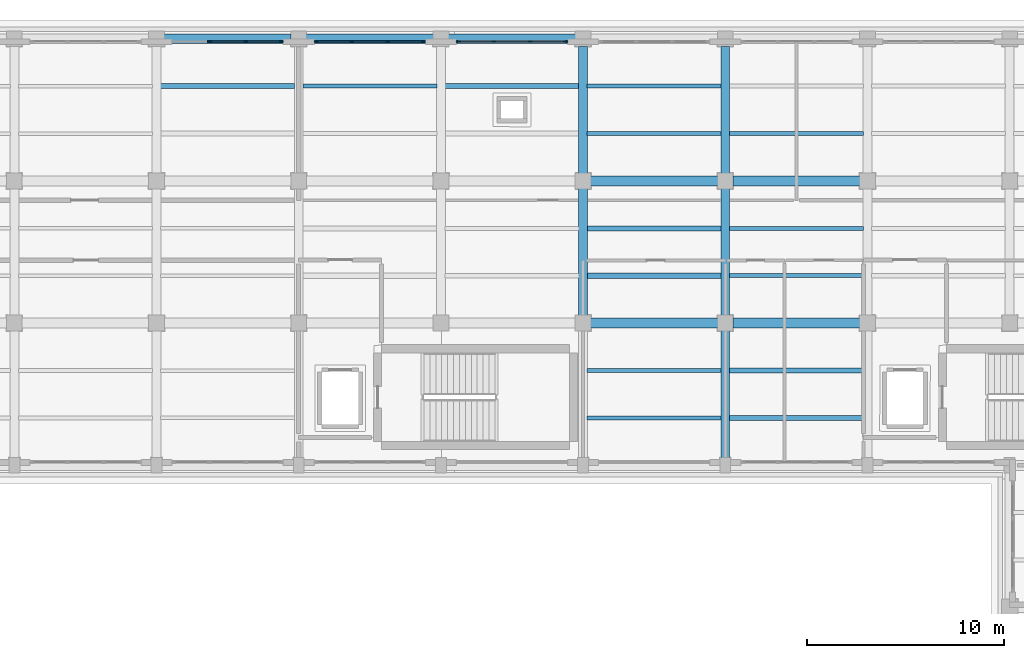
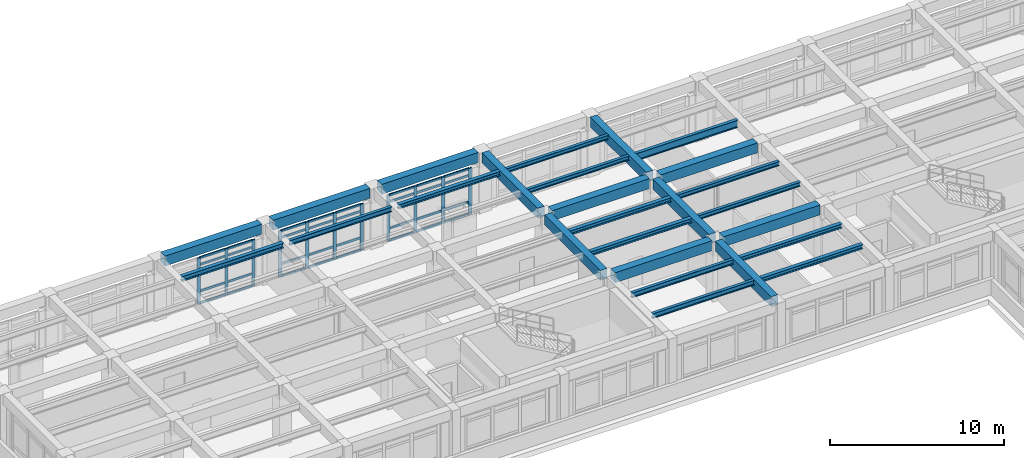
# One storey, part 55 of 98: 43 members, 26 beams, 3 elements without a shape of their own.
"""IFC4 building model written with IfcOpenShell, lengths in metres."""

from ifc_helpers import new_model, si_unit, direction, frame, origin, origin_2d, place, context, subcontext, project, spatial, rectangle, i_section, extrude, material, layer, layer_set, material_profile, profile_set, type_object, element, aggregate, save


model = new_model("IFC4")

# Units and contexts
model_context = context("Model", 3, precision=1e-05, world=origin(), true_north=direction((0.0, 1.0)))
body_context = subcontext(model_context, "Body", "Model", "MODEL_VIEW")
ifc_project = project(units=[si_unit("LENGTHUNIT", "METRE"), si_unit("AREAUNIT", "SQUARE_METRE"), si_unit("VOLUMEUNIT", "CUBIC_METRE"), si_unit("PLANEANGLEUNIT", "RADIAN"), si_unit("MASSUNIT", "GRAM", prefix="KILO")], contexts=[model_context])

# Site, building, storey
site_placement = place(None, origin())
site = spatial("IfcSite", under=ifc_project, at=site_placement, CompositionType="ELEMENT")
building_placement = place(site_placement, origin())
building = spatial("IfcBuilding", under=site, at=building_placement, Name="Solenvale Faculty of Natural Sciences", CompositionType="ELEMENT")
storey_placement = place(building_placement, frame((0.0, 0.0, 9.0)))
storey = spatial("IfcBuildingStorey", under=building, at=storey_placement, Name="L02", CompositionType="ELEMENT", Elevation=9.0)

# Beams
ifc_material_1 = material(Name="Concrete 40 MPa", Category="concrete")
ifc_material_profile_1 = material_profile(ifc_material_1, rectangle(XDim=0.449951171875, YDim=0.699951171875, at=origin_2d()), Name="RC-BM-450x700")
ifc_profile_set_1 = profile_set([ifc_material_profile_1], Name="Concrete 40 MPa")
beam_type_1 = type_object("IfcBeamType", Name="BM-RC-450x700", PredefinedType="BEAM", material=ifc_profile_set_1)
for number, where, z_axis, x_axis, name in (
    (1, (115.199951171875, 101.179931640625, 3.8701171875), (0.0, 1.0, 0.0), (-1.0, 0.0, 0.0), "L02 Y-Girder X115.2 (100.8..108.0)"),
    (2, (115.199951171875, 108.3798828125, 3.8701171875), (0.0, 1.0, 0.0), (-1.0, 0.0, 0.0), "L02 Y-Girder X115.2 (108.0..115.2)"),
):
    element("IfcBeam", number, at=place(storey_placement, frame(where, z_axis=z_axis, x_axis=x_axis)), inside=storey, type_object=beam_type_1, Name=name, PredefinedType="BEAM", context=body_context, shape_type="SweptSolid", body=[
        extrude(rectangle(XDim=0.449951171875, YDim=0.699951171875, at=origin_2d()), origin(), (0.0, 0.0, 1.0), 6.440185546875),
    ])
beam_1_placement = place(storey_placement, frame((122.39990234375, 93.97998046875, 3.8701171875), z_axis=(0.0, 1.0, 0.0), x_axis=(-1.0, 0.0, 0.0)))
element("IfcBeam", 3, at=beam_1_placement, inside=storey, type_object=beam_type_1, Name="L02 Y-Girder X122.4 (93.6..100.8)", PredefinedType="BEAM", context=body_context, shape_type="SweptSolid", body=[
    extrude(rectangle(XDim=0.449951171875, YDim=0.699951171875, at=origin_2d()), origin(), (0.0, 0.0, 1.0), 6.43994140625),
])
for number, where, z_axis, x_axis, name in (
    (4, (122.39990234375, 101.179931640625, 3.8701171875), (0.0, 1.0, 0.0), (-1.0, 0.0, 0.0), "L02 Y-Girder X122.4 (100.8..108.0)"),
    (5, (122.39990234375, 108.3798828125, 3.8701171875), (0.0, 1.0, 0.0), (-1.0, 0.0, 0.0), "L02 Y-Girder X122.4 (108.0..115.2)"),
):
    element("IfcBeam", number, at=place(storey_placement, frame(where, z_axis=z_axis, x_axis=x_axis)), inside=storey, type_object=beam_type_1, Name=name, PredefinedType="BEAM", context=body_context, shape_type="SweptSolid", body=[
        extrude(rectangle(XDim=0.449951171875, YDim=0.699951171875, at=origin_2d()), origin(), (0.0, 0.0, 1.0), 6.440185546875),
    ])
ifc_material_profile_2 = material_profile(ifc_material_1, rectangle(XDim=0.5, YDim=0.699951171875, at=origin_2d()), Name="RC-BM-500x700")
ifc_profile_set_2 = profile_set([ifc_material_profile_2], Name="Concrete 40 MPa")
beam_type_2 = type_object("IfcBeamType", Name="BM-RC-500x700", PredefinedType="BEAM", material=ifc_profile_set_2)
for number, where, z_axis, x_axis, name in (
    (6, (115.580078125, 100.800048828125, 3.8701171875), (1.0, 0.0, 0.0), (0.0, 1.0, 0.0), "L02 X-Girder Y100.8 (115.2..122.4)"),
    (7, (122.780029296875, 100.800048828125, 3.8701171875), (1.0, 0.0, 0.0), (0.0, 1.0, 0.0), "L02 X-Girder Y100.8 (122.4..129.6)"),
    (8, (115.580078125, 108.0, 3.8701171875), (1.0, 0.0, 0.0), (0.0, 1.0, 0.0), "L02 X-Girder Y108.0 (115.2..122.4)"),
    (9, (122.780029296875, 108.0, 3.8701171875), (1.0, 0.0, 0.0), (0.0, 1.0, 0.0), "L02 X-Girder Y108.0 (122.4..129.6)"),
):
    element("IfcBeam", number, at=place(storey_placement, frame(where, z_axis=z_axis, x_axis=x_axis)), inside=storey, type_object=beam_type_2, Name=name, PredefinedType="BEAM", context=body_context, shape_type="SweptSolid", body=[
        extrude(rectangle(XDim=0.5, YDim=0.699951171875, at=origin_2d()), origin(), (0.0, 0.0, 1.0), 6.43994140625),
    ])
ifc_material_2 = material(Name="Precast concrete 40 MPa", Category="concrete")
ifc_material_profile_3 = material_profile(ifc_material_2, rectangle(XDim=0.5, YDim=0.699951171875, at=origin_2d()), Name="RC-BM-500x700")
ifc_profile_set_3 = profile_set([ifc_material_profile_3], Name="Precast concrete 40 MPa")
beam_type_3 = type_object("IfcBeamType", Name="BM-SPN-PRC-700", PredefinedType="SPANDREL", material=ifc_profile_set_3)
beam_2_placement = place(storey_placement, frame((93.97998046875, 115.199951171875, 3.8701171875), z_axis=(1.0, 0.0, 0.0), x_axis=(0.0, 1.0, 0.0)))
element("IfcBeam", 10, at=beam_2_placement, inside=storey, type_object=beam_type_3, Name="L02 X-Girder Y115.2 (93.6..100.8)", PredefinedType="SPANDREL", context=body_context, shape_type="SweptSolid", body=[
    extrude(rectangle(XDim=0.5, YDim=0.699951171875, at=origin_2d()), origin(), (0.0, 0.0, 1.0), 6.43994140625),
])
for number, where, z_axis, x_axis, name in (
    (11, (101.179931640625, 115.199951171875, 3.8701171875), (1.0, 0.0, 0.0), (0.0, 1.0, 0.0), "L02 X-Girder Y115.2 (100.8..108.0)"),
    (12, (108.3798828125, 115.199951171875, 3.8701171875), (1.0, 0.0, 0.0), (0.0, 1.0, 0.0), "L02 X-Girder Y115.2 (108.0..115.2)"),
):
    element("IfcBeam", number, at=place(storey_placement, frame(where, z_axis=z_axis, x_axis=x_axis)), inside=storey, type_object=beam_type_3, Name=name, PredefinedType="SPANDREL", context=body_context, shape_type="SweptSolid", body=[
        extrude(rectangle(XDim=0.5, YDim=0.699951171875, at=origin_2d()), origin(), (0.0, 0.0, 1.0), 6.440185546875),
    ])
ifc_material_3 = material(Name="Steel S355", Category="steel")
ifc_material_profile_4 = material_profile(ifc_material_3, i_section(OverallWidth=0.202880859375, OverallDepth=0.302978515625, WebThickness=0.007568359375, FlangeThickness=0.01318359375, FilletRadius=0.014892578125, at=origin_2d()), Name="W310x60")
ifc_profile_set_4 = profile_set([ifc_material_profile_4], Name="Steel S355")
beam_type_4 = type_object("IfcBeamType", Name="BM-STL-W310x60", PredefinedType="JOIST", material=ifc_profile_set_4)
for number, where, z_axis, x_axis, name in (
    (13, (115.405029296875, 110.39990234375, 4.068603515625), (1.0, 0.0, 0.0), (0.0, 1.0, 0.0), "L02 Composite Floor Joist (17,16).1"),
    (14, (115.405029296875, 112.800048828125, 4.068603515625), (1.0, 0.0, 0.0), (0.0, 1.0, 0.0), "L02 Composite Floor Joist (17,16).2"),
    (15, (122.60498046875, 103.199951171875, 4.068603515625), (1.0, 0.0, 0.0), (0.0, 1.0, 0.0), "L02 Composite Floor Joist (18,15).1"),
    (16, (122.60498046875, 105.60009765625, 4.068603515625), (1.0, 0.0, 0.0), (0.0, 1.0, 0.0), "L02 Composite Floor Joist (18,15).2"),
):
    element("IfcBeam", number, at=place(storey_placement, frame(where, z_axis=z_axis, x_axis=x_axis)), inside=storey, type_object=beam_type_4, Name=name, PredefinedType="JOIST", context=body_context, shape_type="SweptSolid", body=[
        extrude(i_section(OverallWidth=0.202880859375, OverallDepth=0.302978515625, WebThickness=0.007568359375, FlangeThickness=0.01318359375, FilletRadius=0.014892578125, at=origin_2d()), origin(), (0.0, 0.0, 1.0), 6.7900390625),
    ])
ifc_material_profile_5 = material_profile(ifc_material_3, i_section(OverallWidth=0.25390625, OverallDepth=0.305908203125, WebThickness=0.0087890625, FlangeThickness=0.0146484375, FilletRadius=0.014892578125, at=origin_2d()), Name="W310x79")
ifc_profile_set_5 = profile_set([ifc_material_profile_5], Name="Steel S355")
beam_type_5 = type_object("IfcBeamType", Name="BM-STL-W310x79", PredefinedType="JOIST", material=ifc_profile_set_5)
for number, where, z_axis, x_axis, name in (
    (17, (108.205078125, 112.800048828125, 4.06689453125), (1.0, 0.0, 0.0), (0.0, 1.0, 0.0), "L02 Composite Floor Joist (16,16).2"),
    (18, (115.405029296875, 103.199951171875, 4.06689453125), (1.0, 0.0, 0.0), (0.0, 1.0, 0.0), "L02 Composite Floor Joist (17,15).1"),
    (19, (115.405029296875, 105.60009765625, 4.06689453125), (1.0, 0.0, 0.0), (0.0, 1.0, 0.0), "L02 Composite Floor Joist (17,15).2"),
    (20, (122.60498046875, 96.0, 4.06689453125), (1.0, 0.0, 0.0), (0.0, 1.0, 0.0), "L02 Composite Floor Joist (18,14).1"),
    (21, (122.60498046875, 98.39990234375, 4.06689453125), (1.0, 0.0, 0.0), (0.0, 1.0, 0.0), "L02 Composite Floor Joist (18,14).2"),
):
    element("IfcBeam", number, at=place(storey_placement, frame(where, z_axis=z_axis, x_axis=x_axis)), inside=storey, type_object=beam_type_5, Name=name, PredefinedType="JOIST", context=body_context, shape_type="SweptSolid", body=[
        extrude(i_section(OverallWidth=0.25390625, OverallDepth=0.305908203125, WebThickness=0.0087890625, FlangeThickness=0.0146484375, FilletRadius=0.014892578125, at=origin_2d()), origin(), (0.0, 0.0, 1.0), 6.7900390625),
    ])
ifc_material_profile_6 = material_profile(ifc_material_3, i_section(OverallWidth=0.2548828125, OverallDepth=0.35693359375, WebThickness=0.010498046875, FlangeThickness=0.018310546875, FilletRadius=0.014892578125, at=origin_2d()), Name="W360x101")
ifc_profile_set_6 = profile_set([ifc_material_profile_6], Name="Steel S355")
beam_type_6 = type_object("IfcBeamType", Name="BM-STL-W360x101", PredefinedType="JOIST", material=ifc_profile_set_6)
beam_3_placement = place(storey_placement, frame((93.804931640625, 112.800048828125, 4.04150390625), z_axis=(1.0, 0.0, 0.0), x_axis=(0.0, 1.0, 0.0)))
element("IfcBeam", 22, at=beam_3_placement, inside=storey, type_object=beam_type_6, Name="L02 Composite Floor Joist (14,16).2", PredefinedType="JOIST", context=body_context, shape_type="SweptSolid", body=[
    extrude(i_section(OverallWidth=0.2548828125, OverallDepth=0.35693359375, WebThickness=0.010498046875, FlangeThickness=0.018310546875, FilletRadius=0.014892578125, at=origin_2d()), origin(), (0.0, 0.0, 1.0), 6.7900390625),
])
ifc_material_profile_7 = material_profile(ifc_material_3, i_section(OverallWidth=0.2041015625, OverallDepth=0.35009765625, WebThickness=0.008544921875, FlangeThickness=0.01513671875, FilletRadius=0.014892578125, at=origin_2d()), Name="W360x72")
ifc_profile_set_7 = profile_set([ifc_material_profile_7], Name="Steel S355")
beam_type_7 = type_object("IfcBeamType", Name="BM-STL-W360x72", PredefinedType="JOIST", material=ifc_profile_set_7)
for number, where, z_axis, x_axis, name in (
    (23, (101.0048828125, 112.800048828125, 4.044921875), (1.0, 0.0, 0.0), (0.0, 1.0, 0.0), "L02 Composite Floor Joist (15,16).2"),
    (24, (115.405029296875, 96.0, 4.044921875), (1.0, 0.0, 0.0), (0.0, 1.0, 0.0), "L02 Composite Floor Joist (17,14).1"),
    (25, (115.405029296875, 98.39990234375, 4.044921875), (1.0, 0.0, 0.0), (0.0, 1.0, 0.0), "L02 Composite Floor Joist (17,14).2"),
):
    element("IfcBeam", number, at=place(storey_placement, frame(where, z_axis=z_axis, x_axis=x_axis)), inside=storey, type_object=beam_type_7, Name=name, PredefinedType="JOIST", context=body_context, shape_type="SweptSolid", body=[
        extrude(i_section(OverallWidth=0.2041015625, OverallDepth=0.35009765625, WebThickness=0.008544921875, FlangeThickness=0.01513671875, FilletRadius=0.014892578125, at=origin_2d()), origin(), (0.0, 0.0, 1.0), 6.7900390625),
    ])
ifc_material_profile_8 = material_profile(ifc_material_3, i_section(OverallWidth=0.208984375, OverallDepth=0.532958984375, WebThickness=0.01025390625, FlangeThickness=0.015625, FilletRadius=0.01904296875, at=origin_2d()), Name="W530x92")
ifc_profile_set_8 = profile_set([ifc_material_profile_8], Name="Steel S355")
beam_type_8 = type_object("IfcBeamType", Name="BM-STL-W530x92", PredefinedType="JOIST", material=ifc_profile_set_8)
beam_4_placement = place(storey_placement, frame((122.60498046875, 110.39990234375, 3.95361328125), z_axis=(1.0, 0.0, 0.0), x_axis=(0.0, 1.0, 0.0)))
element("IfcBeam", 26, at=beam_4_placement, inside=storey, type_object=beam_type_8, Name="L02 Composite Floor Joist (18,16).1", PredefinedType="JOIST", context=body_context, shape_type="SweptSolid", body=[
    extrude(i_section(OverallWidth=0.208984375, OverallDepth=0.532958984375, WebThickness=0.01025390625, FlangeThickness=0.015625, FilletRadius=0.01904296875, at=origin_2d()), origin(), (0.0, 0.0, 1.0), 6.7900390625),
])

# Curtain wall, members
ifc_material_4 = material(Name="Anodised bronze aluminium", Category="aluminium")
ifc_layer = layer(ifc_material_4, 0.179931640625)
ifc_layer_set = layer_set([ifc_layer], Name="Anodised bronze aluminium")
curtain_wall_type = type_object("IfcCurtainWallType", Name="CW-TWR-MOD", PredefinedType="USERDEFINED", material=ifc_layer_set)
curtain_wall_1_placement = place(storey_placement, origin())
curtain_wall_1 = element("IfcCurtainWall", 27, at=curtain_wall_1_placement, inside=storey, type_object=curtain_wall_type, Name="L02 Curtain Wall CW-L02-P2-E4-B6", ObjectType="UNITISED CURTAIN WALL", PredefinedType="USERDEFINED")
ifc_material_profile_9 = material_profile(ifc_material_4, rectangle(XDim=0.074951171875, YDim=0.2099609375, at=origin_2d()), Name="ALU-MUL-75x210")
ifc_profile_set_9 = profile_set([ifc_material_profile_9], Name="Anodised bronze aluminium")
member_type_1 = type_object("IfcMemberType", Name="CWM-ALU-75x210", PredefinedType="MULLION", material=ifc_profile_set_9)
member_1_placement = place(storey_placement, frame((114.3125, 115.0576171875, 0.0), z_axis=(0.0, 0.0, 1.0), x_axis=(0.0, -1.0, 0.0)))
member_1 = element("IfcMember", 28, at=member_1_placement, type_object=member_type_1, Name="CW-04 mullion 1", PredefinedType="MULLION", context=body_context, shape_type="SweptSolid", body=[
    extrude(rectangle(XDim=0.074951171875, YDim=0.2099609375, at=origin_2d()), origin(), (0.0, 0.0, 1.0), 3.260009765625),
])
member_2_placement = place(storey_placement, frame((112.5166015625, 115.0576171875, 0.0), z_axis=(0.0, 0.0, 1.0), x_axis=(0.0, -1.0, 0.0)))
member_2 = element("IfcMember", 29, at=member_2_placement, type_object=member_type_1, Name="CW-04 mullion 2", PredefinedType="MULLION", context=body_context, shape_type="SweptSolid", body=[
    extrude(rectangle(XDim=0.074951171875, YDim=0.2099609375, at=origin_2d()), origin(), (0.0, 0.0, 1.0), 3.260009765625),
])
member_3_placement = place(storey_placement, frame((110.683349609375, 115.0576171875, 0.0), z_axis=(0.0, 0.0, 1.0), x_axis=(0.0, -1.0, 0.0)))
member_3 = element("IfcMember", 30, at=member_3_placement, type_object=member_type_1, Name="CW-04 mullion 3", PredefinedType="MULLION", context=body_context, shape_type="SweptSolid", body=[
    extrude(rectangle(XDim=0.074951171875, YDim=0.2099609375, at=origin_2d()), origin(), (0.0, 0.0, 1.0), 3.260009765625),
])
member_4_placement = place(storey_placement, frame((108.887451171875, 115.0576171875, 0.0), z_axis=(0.0, 0.0, 1.0), x_axis=(0.0, -1.0, 0.0)))
member_4 = element("IfcMember", 31, at=member_4_placement, type_object=member_type_1, Name="CW-04 mullion 4", PredefinedType="MULLION", context=body_context, shape_type="SweptSolid", body=[
    extrude(rectangle(XDim=0.074951171875, YDim=0.2099609375, at=origin_2d()), origin(), (0.0, 0.0, 1.0), 3.260009765625),
])

curtain_wall_2_placement = place(storey_placement, origin())
curtain_wall_2 = element("IfcCurtainWall", 32, at=curtain_wall_2_placement, inside=storey, type_object=curtain_wall_type, Name="L02 Curtain Wall CW-L02-P2-E4-B7", ObjectType="UNITISED CURTAIN WALL", PredefinedType="USERDEFINED")
member_5_placement = place(storey_placement, frame((107.112548828125, 115.0576171875, 0.0), z_axis=(0.0, 0.0, 1.0), x_axis=(0.0, -1.0, 0.0)))
member_5 = element("IfcMember", 33, at=member_5_placement, type_object=member_type_1, Name="CW-04 mullion 1", PredefinedType="MULLION", context=body_context, shape_type="SweptSolid", body=[
    extrude(rectangle(XDim=0.074951171875, YDim=0.2099609375, at=origin_2d()), origin(), (0.0, 0.0, 1.0), 3.260009765625),
])
member_6_placement = place(storey_placement, frame((105.316650390625, 115.0576171875, 0.0), z_axis=(0.0, 0.0, 1.0), x_axis=(0.0, -1.0, 0.0)))
member_6 = element("IfcMember", 34, at=member_6_placement, type_object=member_type_1, Name="CW-04 mullion 2", PredefinedType="MULLION", context=body_context, shape_type="SweptSolid", body=[
    extrude(rectangle(XDim=0.074951171875, YDim=0.2099609375, at=origin_2d()), origin(), (0.0, 0.0, 1.0), 3.260009765625),
])
member_7_placement = place(storey_placement, frame((103.4833984375, 115.0576171875, 0.0), z_axis=(0.0, 0.0, 1.0), x_axis=(0.0, -1.0, 0.0)))
member_7 = element("IfcMember", 35, at=member_7_placement, type_object=member_type_1, Name="CW-04 mullion 3", PredefinedType="MULLION", context=body_context, shape_type="SweptSolid", body=[
    extrude(rectangle(XDim=0.074951171875, YDim=0.2099609375, at=origin_2d()), origin(), (0.0, 0.0, 1.0), 3.260009765625),
])
member_8_placement = place(storey_placement, frame((101.6875, 115.0576171875, 0.0), z_axis=(0.0, 0.0, 1.0), x_axis=(0.0, -1.0, 0.0)))
member_8 = element("IfcMember", 36, at=member_8_placement, type_object=member_type_1, Name="CW-04 mullion 4", PredefinedType="MULLION", context=body_context, shape_type="SweptSolid", body=[
    extrude(rectangle(XDim=0.074951171875, YDim=0.2099609375, at=origin_2d()), origin(), (0.0, 0.0, 1.0), 3.260009765625),
])

curtain_wall_3_placement = place(storey_placement, origin())
curtain_wall_3 = element("IfcCurtainWall", 37, at=curtain_wall_3_placement, inside=storey, type_object=curtain_wall_type, Name="L02 Curtain Wall CW-L02-P2-E4-B8", ObjectType="UNITISED CURTAIN WALL", PredefinedType="USERDEFINED")
member_9_placement = place(storey_placement, frame((99.91259765625, 115.0576171875, 0.0), z_axis=(0.0, 0.0, 1.0), x_axis=(0.0, -1.0, 0.0)))
member_9 = element("IfcMember", 38, at=member_9_placement, type_object=member_type_1, Name="CW-04 mullion 1", PredefinedType="MULLION", context=body_context, shape_type="SweptSolid", body=[
    extrude(rectangle(XDim=0.074951171875, YDim=0.2099609375, at=origin_2d()), origin(), (0.0, 0.0, 1.0), 3.260009765625),
])
member_10_placement = place(storey_placement, frame((98.11669921875, 115.0576171875, 0.0), z_axis=(0.0, 0.0, 1.0), x_axis=(0.0, -1.0, 0.0)))
member_10 = element("IfcMember", 39, at=member_10_placement, type_object=member_type_1, Name="CW-04 mullion 2", PredefinedType="MULLION", context=body_context, shape_type="SweptSolid", body=[
    extrude(rectangle(XDim=0.074951171875, YDim=0.2099609375, at=origin_2d()), origin(), (0.0, 0.0, 1.0), 3.260009765625),
])
member_11_placement = place(storey_placement, frame((96.283447265625, 115.0576171875, 0.0), z_axis=(0.0, 0.0, 1.0), x_axis=(0.0, -1.0, 0.0)))
member_11 = element("IfcMember", 40, at=member_11_placement, type_object=member_type_1, Name="CW-04 mullion 3", PredefinedType="MULLION", context=body_context, shape_type="SweptSolid", body=[
    extrude(rectangle(XDim=0.074951171875, YDim=0.2099609375, at=origin_2d()), origin(), (0.0, 0.0, 1.0), 3.260009765625),
])

# Member
ifc_material_profile_10 = material_profile(ifc_material_4, rectangle(XDim=0.074951171875, YDim=0.155029296875, at=origin_2d()), Name="ALU-TRN-75x155")
ifc_profile_set_10 = profile_set([ifc_material_profile_10], Name="Anodised bronze aluminium")
member_type_2 = type_object("IfcMemberType", Name="CWT-ALU-75x155", PredefinedType="USERDEFINED", material=ifc_profile_set_10)
member_12_placement = place(storey_placement, frame((114.27490234375, 115.0576171875, 0.03759765625), z_axis=(-1.0, 0.0, 0.0), x_axis=(0.0, -1.0, 0.0)))
member_12 = element("IfcMember", 41, at=member_12_placement, type_object=member_type_2, Name="CW-04 transom 1.1", ObjectType="TRANSOM", PredefinedType="USERDEFINED", context=body_context, shape_type="SweptSolid", body=[
    extrude(rectangle(XDim=0.074951171875, YDim=0.155029296875, at=origin_2d()), origin(), (0.0, 0.0, 1.0), 1.720703125),
])

member_13_placement = place(storey_placement, frame((114.27490234375, 115.0576171875, 0.89990234375), z_axis=(-1.0, 0.0, 0.0), x_axis=(0.0, -1.0, 0.0)))
member_13 = element("IfcMember", 42, at=member_13_placement, type_object=member_type_2, Name="CW-04 transom 1.2", ObjectType="TRANSOM", PredefinedType="USERDEFINED", context=body_context, shape_type="SweptSolid", body=[
    extrude(rectangle(XDim=0.074951171875, YDim=0.155029296875, at=origin_2d()), origin(), (0.0, 0.0, 1.0), 1.720703125),
])

member_14_placement = place(storey_placement, frame((114.27490234375, 115.0576171875, 2.760009765625), z_axis=(-1.0, 0.0, 0.0), x_axis=(0.0, -1.0, 0.0)))
member_14 = element("IfcMember", 43, at=member_14_placement, type_object=member_type_2, Name="CW-04 transom 1.3", ObjectType="TRANSOM", PredefinedType="USERDEFINED", context=body_context, shape_type="SweptSolid", body=[
    extrude(rectangle(XDim=0.074951171875, YDim=0.155029296875, at=origin_2d()), origin(), (0.0, 0.0, 1.0), 1.720703125),
])

member_15_placement = place(storey_placement, frame((114.27490234375, 115.0576171875, 3.222412109375), z_axis=(-1.0, 0.0, 0.0), x_axis=(0.0, -1.0, 0.0)))
member_15 = element("IfcMember", 44, at=member_15_placement, type_object=member_type_2, Name="CW-04 transom 1.4", ObjectType="TRANSOM", PredefinedType="USERDEFINED", context=body_context, shape_type="SweptSolid", body=[
    extrude(rectangle(XDim=0.074951171875, YDim=0.155029296875, at=origin_2d()), origin(), (0.0, 0.0, 1.0), 1.720703125),
])

member_16_placement = place(storey_placement, frame((112.479248046875, 115.0576171875, 0.03759765625), z_axis=(-1.0, 0.0, 0.0), x_axis=(0.0, -1.0, 0.0)))
member_16 = element("IfcMember", 45, at=member_16_placement, type_object=member_type_2, Name="CW-04 transom 2.1", ObjectType="TRANSOM", PredefinedType="USERDEFINED", context=body_context, shape_type="SweptSolid", body=[
    extrude(rectangle(XDim=0.074951171875, YDim=0.155029296875, at=origin_2d()), origin(), (0.0, 0.0, 1.0), 1.75830078125),
])

member_17_placement = place(storey_placement, frame((112.479248046875, 115.0576171875, 0.89990234375), z_axis=(-1.0, 0.0, 0.0), x_axis=(0.0, -1.0, 0.0)))
member_17 = element("IfcMember", 46, at=member_17_placement, type_object=member_type_2, Name="CW-04 transom 2.2", ObjectType="TRANSOM", PredefinedType="USERDEFINED", context=body_context, shape_type="SweptSolid", body=[
    extrude(rectangle(XDim=0.074951171875, YDim=0.155029296875, at=origin_2d()), origin(), (0.0, 0.0, 1.0), 1.75830078125),
])

member_18_placement = place(storey_placement, frame((112.479248046875, 115.0576171875, 2.760009765625), z_axis=(-1.0, 0.0, 0.0), x_axis=(0.0, -1.0, 0.0)))
member_18 = element("IfcMember", 47, at=member_18_placement, type_object=member_type_2, Name="CW-04 transom 2.3", ObjectType="TRANSOM", PredefinedType="USERDEFINED", context=body_context, shape_type="SweptSolid", body=[
    extrude(rectangle(XDim=0.074951171875, YDim=0.155029296875, at=origin_2d()), origin(), (0.0, 0.0, 1.0), 1.75830078125),
])

member_19_placement = place(storey_placement, frame((112.479248046875, 115.0576171875, 3.222412109375), z_axis=(-1.0, 0.0, 0.0), x_axis=(0.0, -1.0, 0.0)))
member_19 = element("IfcMember", 48, at=member_19_placement, type_object=member_type_2, Name="CW-04 transom 2.4", ObjectType="TRANSOM", PredefinedType="USERDEFINED", context=body_context, shape_type="SweptSolid", body=[
    extrude(rectangle(XDim=0.074951171875, YDim=0.155029296875, at=origin_2d()), origin(), (0.0, 0.0, 1.0), 1.75830078125),
])

member_20_placement = place(storey_placement, frame((110.645751953125, 115.0576171875, 0.03759765625), z_axis=(-1.0, 0.0, 0.0), x_axis=(0.0, -1.0, 0.0)))
member_20 = element("IfcMember", 49, at=member_20_placement, type_object=member_type_2, Name="CW-04 transom 3.1", ObjectType="TRANSOM", PredefinedType="USERDEFINED", context=body_context, shape_type="SweptSolid", body=[
    extrude(rectangle(XDim=0.074951171875, YDim=0.155029296875, at=origin_2d()), origin(), (0.0, 0.0, 1.0), 1.720703125),
])

member_21_placement = place(storey_placement, frame((110.645751953125, 115.0576171875, 0.89990234375), z_axis=(-1.0, 0.0, 0.0), x_axis=(0.0, -1.0, 0.0)))
member_21 = element("IfcMember", 50, at=member_21_placement, type_object=member_type_2, Name="CW-04 transom 3.2", ObjectType="TRANSOM", PredefinedType="USERDEFINED", context=body_context, shape_type="SweptSolid", body=[
    extrude(rectangle(XDim=0.074951171875, YDim=0.155029296875, at=origin_2d()), origin(), (0.0, 0.0, 1.0), 1.720703125),
])

member_22_placement = place(storey_placement, frame((110.645751953125, 115.0576171875, 2.760009765625), z_axis=(-1.0, 0.0, 0.0), x_axis=(0.0, -1.0, 0.0)))
member_22 = element("IfcMember", 51, at=member_22_placement, type_object=member_type_2, Name="CW-04 transom 3.3", ObjectType="TRANSOM", PredefinedType="USERDEFINED", context=body_context, shape_type="SweptSolid", body=[
    extrude(rectangle(XDim=0.074951171875, YDim=0.155029296875, at=origin_2d()), origin(), (0.0, 0.0, 1.0), 1.720703125),
])

member_23_placement = place(storey_placement, frame((110.645751953125, 115.0576171875, 3.222412109375), z_axis=(-1.0, 0.0, 0.0), x_axis=(0.0, -1.0, 0.0)))
member_23 = element("IfcMember", 52, at=member_23_placement, type_object=member_type_2, Name="CW-04 transom 3.4", ObjectType="TRANSOM", PredefinedType="USERDEFINED", context=body_context, shape_type="SweptSolid", body=[
    extrude(rectangle(XDim=0.074951171875, YDim=0.155029296875, at=origin_2d()), origin(), (0.0, 0.0, 1.0), 1.720703125),
])

aggregate(curtain_wall_1, [member_1, member_2, member_3, member_4, member_12, member_13, member_14, member_15, member_16, member_17, member_18, member_19, member_20, member_21, member_22, member_23])

member_24_placement = place(storey_placement, frame((107.074951171875, 115.0576171875, 0.03759765625), z_axis=(-1.0, 0.0, 0.0), x_axis=(0.0, -1.0, 0.0)))
member_24 = element("IfcMember", 53, at=member_24_placement, type_object=member_type_2, Name="CW-04 transom 1.1", ObjectType="TRANSOM", PredefinedType="USERDEFINED", context=body_context, shape_type="SweptSolid", body=[
    extrude(rectangle(XDim=0.074951171875, YDim=0.155029296875, at=origin_2d()), origin(), (0.0, 0.0, 1.0), 1.720703125),
])

member_25_placement = place(storey_placement, frame((107.074951171875, 115.0576171875, 0.89990234375), z_axis=(-1.0, 0.0, 0.0), x_axis=(0.0, -1.0, 0.0)))
member_25 = element("IfcMember", 54, at=member_25_placement, type_object=member_type_2, Name="CW-04 transom 1.2", ObjectType="TRANSOM", PredefinedType="USERDEFINED", context=body_context, shape_type="SweptSolid", body=[
    extrude(rectangle(XDim=0.074951171875, YDim=0.155029296875, at=origin_2d()), origin(), (0.0, 0.0, 1.0), 1.720703125),
])

member_26_placement = place(storey_placement, frame((107.074951171875, 115.0576171875, 2.760009765625), z_axis=(-1.0, 0.0, 0.0), x_axis=(0.0, -1.0, 0.0)))
member_26 = element("IfcMember", 55, at=member_26_placement, type_object=member_type_2, Name="CW-04 transom 1.3", ObjectType="TRANSOM", PredefinedType="USERDEFINED", context=body_context, shape_type="SweptSolid", body=[
    extrude(rectangle(XDim=0.074951171875, YDim=0.155029296875, at=origin_2d()), origin(), (0.0, 0.0, 1.0), 1.720703125),
])

member_27_placement = place(storey_placement, frame((107.074951171875, 115.0576171875, 3.222412109375), z_axis=(-1.0, 0.0, 0.0), x_axis=(0.0, -1.0, 0.0)))
member_27 = element("IfcMember", 56, at=member_27_placement, type_object=member_type_2, Name="CW-04 transom 1.4", ObjectType="TRANSOM", PredefinedType="USERDEFINED", context=body_context, shape_type="SweptSolid", body=[
    extrude(rectangle(XDim=0.074951171875, YDim=0.155029296875, at=origin_2d()), origin(), (0.0, 0.0, 1.0), 1.720703125),
])

member_28_placement = place(storey_placement, frame((105.279052734375, 115.0576171875, 0.03759765625), z_axis=(-1.0, 0.0, 0.0), x_axis=(0.0, -1.0, 0.0)))
member_28 = element("IfcMember", 57, at=member_28_placement, type_object=member_type_2, Name="CW-04 transom 2.1", ObjectType="TRANSOM", PredefinedType="USERDEFINED", context=body_context, shape_type="SweptSolid", body=[
    extrude(rectangle(XDim=0.074951171875, YDim=0.155029296875, at=origin_2d()), origin(), (0.0, 0.0, 1.0), 1.75830078125),
])

member_29_placement = place(storey_placement, frame((105.279052734375, 115.0576171875, 0.89990234375), z_axis=(-1.0, 0.0, 0.0), x_axis=(0.0, -1.0, 0.0)))
member_29 = element("IfcMember", 58, at=member_29_placement, type_object=member_type_2, Name="CW-04 transom 2.2", ObjectType="TRANSOM", PredefinedType="USERDEFINED", context=body_context, shape_type="SweptSolid", body=[
    extrude(rectangle(XDim=0.074951171875, YDim=0.155029296875, at=origin_2d()), origin(), (0.0, 0.0, 1.0), 1.75830078125),
])

member_30_placement = place(storey_placement, frame((105.279052734375, 115.0576171875, 2.760009765625), z_axis=(-1.0, 0.0, 0.0), x_axis=(0.0, -1.0, 0.0)))
member_30 = element("IfcMember", 59, at=member_30_placement, type_object=member_type_2, Name="CW-04 transom 2.3", ObjectType="TRANSOM", PredefinedType="USERDEFINED", context=body_context, shape_type="SweptSolid", body=[
    extrude(rectangle(XDim=0.074951171875, YDim=0.155029296875, at=origin_2d()), origin(), (0.0, 0.0, 1.0), 1.75830078125),
])

member_31_placement = place(storey_placement, frame((105.279052734375, 115.0576171875, 3.222412109375), z_axis=(-1.0, 0.0, 0.0), x_axis=(0.0, -1.0, 0.0)))
member_31 = element("IfcMember", 60, at=member_31_placement, type_object=member_type_2, Name="CW-04 transom 2.4", ObjectType="TRANSOM", PredefinedType="USERDEFINED", context=body_context, shape_type="SweptSolid", body=[
    extrude(rectangle(XDim=0.074951171875, YDim=0.155029296875, at=origin_2d()), origin(), (0.0, 0.0, 1.0), 1.75830078125),
])

member_32_placement = place(storey_placement, frame((103.44580078125, 115.0576171875, 0.03759765625), z_axis=(-1.0, 0.0, 0.0), x_axis=(0.0, -1.0, 0.0)))
member_32 = element("IfcMember", 61, at=member_32_placement, type_object=member_type_2, Name="CW-04 transom 3.1", ObjectType="TRANSOM", PredefinedType="USERDEFINED", context=body_context, shape_type="SweptSolid", body=[
    extrude(rectangle(XDim=0.074951171875, YDim=0.155029296875, at=origin_2d()), origin(), (0.0, 0.0, 1.0), 1.720703125),
])

member_33_placement = place(storey_placement, frame((103.44580078125, 115.0576171875, 0.89990234375), z_axis=(-1.0, 0.0, 0.0), x_axis=(0.0, -1.0, 0.0)))
member_33 = element("IfcMember", 62, at=member_33_placement, type_object=member_type_2, Name="CW-04 transom 3.2", ObjectType="TRANSOM", PredefinedType="USERDEFINED", context=body_context, shape_type="SweptSolid", body=[
    extrude(rectangle(XDim=0.074951171875, YDim=0.155029296875, at=origin_2d()), origin(), (0.0, 0.0, 1.0), 1.720703125),
])

member_34_placement = place(storey_placement, frame((103.44580078125, 115.0576171875, 2.760009765625), z_axis=(-1.0, 0.0, 0.0), x_axis=(0.0, -1.0, 0.0)))
member_34 = element("IfcMember", 63, at=member_34_placement, type_object=member_type_2, Name="CW-04 transom 3.3", ObjectType="TRANSOM", PredefinedType="USERDEFINED", context=body_context, shape_type="SweptSolid", body=[
    extrude(rectangle(XDim=0.074951171875, YDim=0.155029296875, at=origin_2d()), origin(), (0.0, 0.0, 1.0), 1.720703125),
])

member_35_placement = place(storey_placement, frame((103.44580078125, 115.0576171875, 3.222412109375), z_axis=(-1.0, 0.0, 0.0), x_axis=(0.0, -1.0, 0.0)))
member_35 = element("IfcMember", 64, at=member_35_placement, type_object=member_type_2, Name="CW-04 transom 3.4", ObjectType="TRANSOM", PredefinedType="USERDEFINED", context=body_context, shape_type="SweptSolid", body=[
    extrude(rectangle(XDim=0.074951171875, YDim=0.155029296875, at=origin_2d()), origin(), (0.0, 0.0, 1.0), 1.720703125),
])

aggregate(curtain_wall_2, [member_5, member_6, member_7, member_8, member_24, member_25, member_26, member_27, member_28, member_29, member_30, member_31, member_32, member_33, member_34, member_35])

member_36_placement = place(storey_placement, frame((99.875, 115.0576171875, 0.03759765625), z_axis=(-1.0, 0.0, 0.0), x_axis=(0.0, -1.0, 0.0)))
member_36 = element("IfcMember", 65, at=member_36_placement, type_object=member_type_2, Name="CW-04 transom 1.1", ObjectType="TRANSOM", PredefinedType="USERDEFINED", context=body_context, shape_type="SweptSolid", body=[
    extrude(rectangle(XDim=0.074951171875, YDim=0.155029296875, at=origin_2d()), origin(), (0.0, 0.0, 1.0), 1.720947265625),
])

member_37_placement = place(storey_placement, frame((99.875, 115.0576171875, 0.89990234375), z_axis=(-1.0, 0.0, 0.0), x_axis=(0.0, -1.0, 0.0)))
member_37 = element("IfcMember", 66, at=member_37_placement, type_object=member_type_2, Name="CW-04 transom 1.2", ObjectType="TRANSOM", PredefinedType="USERDEFINED", context=body_context, shape_type="SweptSolid", body=[
    extrude(rectangle(XDim=0.074951171875, YDim=0.155029296875, at=origin_2d()), origin(), (0.0, 0.0, 1.0), 1.720947265625),
])

member_38_placement = place(storey_placement, frame((99.875, 115.0576171875, 2.760009765625), z_axis=(-1.0, 0.0, 0.0), x_axis=(0.0, -1.0, 0.0)))
member_38 = element("IfcMember", 67, at=member_38_placement, type_object=member_type_2, Name="CW-04 transom 1.3", ObjectType="TRANSOM", PredefinedType="USERDEFINED", context=body_context, shape_type="SweptSolid", body=[
    extrude(rectangle(XDim=0.074951171875, YDim=0.155029296875, at=origin_2d()), origin(), (0.0, 0.0, 1.0), 1.720947265625),
])

member_39_placement = place(storey_placement, frame((99.875, 115.0576171875, 3.222412109375), z_axis=(-1.0, 0.0, 0.0), x_axis=(0.0, -1.0, 0.0)))
member_39 = element("IfcMember", 68, at=member_39_placement, type_object=member_type_2, Name="CW-04 transom 1.4", ObjectType="TRANSOM", PredefinedType="USERDEFINED", context=body_context, shape_type="SweptSolid", body=[
    extrude(rectangle(XDim=0.074951171875, YDim=0.155029296875, at=origin_2d()), origin(), (0.0, 0.0, 1.0), 1.720947265625),
])

member_40_placement = place(storey_placement, frame((98.0791015625, 115.0576171875, 0.03759765625), z_axis=(-1.0, 0.0, 0.0), x_axis=(0.0, -1.0, 0.0)))
member_40 = element("IfcMember", 69, at=member_40_placement, type_object=member_type_2, Name="CW-04 transom 2.1", ObjectType="TRANSOM", PredefinedType="USERDEFINED", context=body_context, shape_type="SweptSolid", body=[
    extrude(rectangle(XDim=0.074951171875, YDim=0.155029296875, at=origin_2d()), origin(), (0.0, 0.0, 1.0), 1.75830078125),
])

member_41_placement = place(storey_placement, frame((98.0791015625, 115.0576171875, 0.89990234375), z_axis=(-1.0, 0.0, 0.0), x_axis=(0.0, -1.0, 0.0)))
member_41 = element("IfcMember", 70, at=member_41_placement, type_object=member_type_2, Name="CW-04 transom 2.2", ObjectType="TRANSOM", PredefinedType="USERDEFINED", context=body_context, shape_type="SweptSolid", body=[
    extrude(rectangle(XDim=0.074951171875, YDim=0.155029296875, at=origin_2d()), origin(), (0.0, 0.0, 1.0), 1.75830078125),
])

member_42_placement = place(storey_placement, frame((98.0791015625, 115.0576171875, 2.760009765625), z_axis=(-1.0, 0.0, 0.0), x_axis=(0.0, -1.0, 0.0)))
member_42 = element("IfcMember", 71, at=member_42_placement, type_object=member_type_2, Name="CW-04 transom 2.3", ObjectType="TRANSOM", PredefinedType="USERDEFINED", context=body_context, shape_type="SweptSolid", body=[
    extrude(rectangle(XDim=0.074951171875, YDim=0.155029296875, at=origin_2d()), origin(), (0.0, 0.0, 1.0), 1.75830078125),
])

member_43_placement = place(storey_placement, frame((98.0791015625, 115.0576171875, 3.222412109375), z_axis=(-1.0, 0.0, 0.0), x_axis=(0.0, -1.0, 0.0)))
member_43 = element("IfcMember", 72, at=member_43_placement, type_object=member_type_2, Name="CW-04 transom 2.4", ObjectType="TRANSOM", PredefinedType="USERDEFINED", context=body_context, shape_type="SweptSolid", body=[
    extrude(rectangle(XDim=0.074951171875, YDim=0.155029296875, at=origin_2d()), origin(), (0.0, 0.0, 1.0), 1.75830078125),
])

aggregate(curtain_wall_3, [member_9, member_10, member_11, member_36, member_37, member_38, member_39, member_40, member_41, member_42, member_43])

save(model, "model.ifc")
